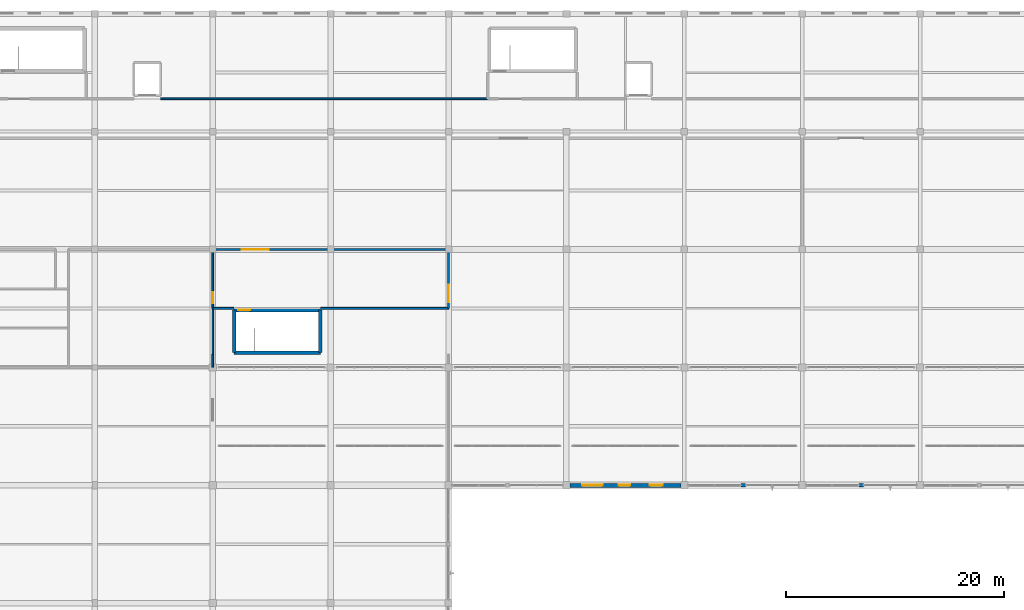
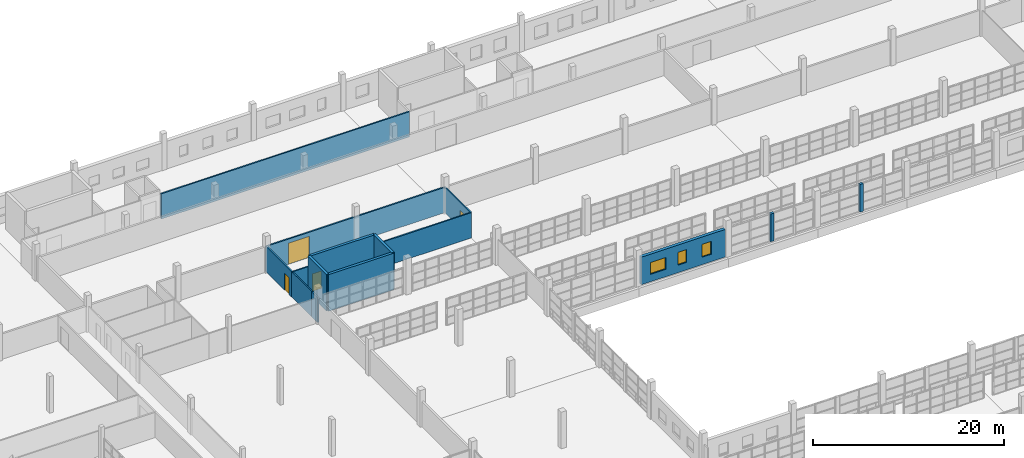
# One storey, part 108 of 142: 15 walls, 4 doors, 3 windows, 7 openings.
"""IFC4 building model written with IfcOpenShell, lengths in metres."""

from ifc_helpers import new_model, si_unit, direction, frame, frame_2d, origin, place, context, subcontext, project, spatial, rectangle, extrude, material, layer, layer_set, type_object, element, fill, save


model = new_model("IFC4")

# Units and contexts
model_context = context("Model", 3, precision=1e-05, world=origin(), true_north=direction((0.0, 1.0)))
body_context = subcontext(model_context, "Body", "Model", "MODEL_VIEW")
ifc_project = project(units=[si_unit("LENGTHUNIT", "METRE"), si_unit("AREAUNIT", "SQUARE_METRE"), si_unit("VOLUMEUNIT", "CUBIC_METRE"), si_unit("PLANEANGLEUNIT", "RADIAN"), si_unit("MASSUNIT", "GRAM", prefix="KILO")], contexts=[model_context])

# Site, building, storey
site_placement = place(None, origin())
site = spatial("IfcSite", under=ifc_project, at=site_placement, CompositionType="ELEMENT")
building_placement = place(site_placement, origin())
building = spatial("IfcBuilding", under=site, at=building_placement, Name="Zwinboog Wholesale Market", CompositionType="ELEMENT")
storey_placement = place(building_placement, frame((0.0, 0.0, 5.39990234375)))
storey = spatial("IfcBuildingStorey", under=building, at=storey_placement, Name="L01", CompositionType="ELEMENT", Elevation=5.39990234375)

# Wall, openings, windows
ifc_material_1 = material(Name="Precast concrete C45/55", Category="concrete")
ifc_layer_1 = layer(ifc_material_1, 0.3701171875)
ifc_layer_set_1 = layer_set([ifc_layer_1], Name="Precast concrete C45/55")
wall_type_1 = type_object("IfcWallType", Name="WT-EW-370", PredefinedType="STANDARD", material=ifc_layer_set_1)
wall_1_placement = place(storey_placement, frame((97.52001953125, 86.39990234375, 0.0), z_axis=(0.0, 0.0, 1.0), x_axis=(1.0, 0.0, 0.0)))
wall_1 = element("IfcWall", 1, at=wall_1_placement, inside=storey, type_object=wall_type_1, Name="EW-01 (WL-EW-L01-134)", PredefinedType="STANDARD", context=body_context, shape_type="SweptSolid", body=[
    extrude(rectangle(XDim=10.159912109375, YDim=0.3701171875, at=frame_2d((5.080078125, 0.0))), origin(), (0.0, 0.0, 1.0), 3.530029296875),
])
opening_1_placement = place(wall_1_placement, frame((1.10498046875, 0.0, 0.949951171875)))
opening_1 = element("IfcOpeningElement", 2, at=opening_1_placement, cuts=wall_1, Name="Opening WN-40", PredefinedType="OPENING", context=body_context, shape_type="SweptSolid", body=[
    extrude(rectangle(XDim=1.889892578125, YDim=1.5, at=frame_2d((0.94482421875, 0.75))), frame((0.0, 0.195068359375, 0.0), z_axis=(0.0, -1.0, 0.0), x_axis=(1.0, 0.0, 0.0)), (0.0, 0.0, 1.0), 0.39013671875),
])
opening_2_placement = place(wall_1_placement, frame((4.455078125, 0.0, 0.949951171875)))
opening_2 = element("IfcOpeningElement", 3, at=opening_2_placement, cuts=wall_1, Name="Opening WN-41", PredefinedType="OPENING", context=body_context, shape_type="SweptSolid", body=[
    extrude(rectangle(XDim=1.050048828125, YDim=1.64990234375, at=frame_2d((0.52490234375, 0.824951171875))), frame((0.0, 0.195068359375, 0.0), z_axis=(0.0, -1.0, 0.0), x_axis=(1.0, 0.0, 0.0)), (0.0, 0.0, 1.0), 0.39013671875),
])
opening_3_placement = place(wall_1_placement, frame((7.324951171875, 0.0, 0.949951171875)))
opening_3 = element("IfcOpeningElement", 4, at=opening_3_placement, cuts=wall_1, Name="Opening WN-42", PredefinedType="OPENING", context=body_context, shape_type="SweptSolid", body=[
    extrude(rectangle(XDim=1.169921875, YDim=1.64990234375, at=frame_2d((0.5849609375, 0.824951171875))), frame((0.0, 0.195068359375, 0.0), z_axis=(0.0, -1.0, 0.0), x_axis=(1.0, 0.0, 0.0)), (0.0, 0.0, 1.0), 0.39013671875),
])
ifc_material_2 = material(Name="Thermally broken aluminium low-e window", Category="aluminium")
window_type_1 = type_object("IfcWindowType", Name="WNT-40", PartitioningType="SINGLE_PANEL", PredefinedType="WINDOW", material=ifc_material_2)
window_1_placement = place(opening_1_placement, frame((1.889892578125, 0.0, 0.0), z_axis=(0.0, 0.0, 1.0), x_axis=(-1.0, 0.0, 0.0)))
window_1 = element("IfcWindow", 5, at=window_1_placement, inside=storey, type_object=window_type_1, Name="WN-40 (WIN-L01-0112)", OverallHeight=1.5, OverallWidth=1.889892578125, PartitioningType="SINGLE_PANEL", PredefinedType="WINDOW", context=body_context, shape_type="SweptSolid", body=[
    extrude(rectangle(XDim=1.889892578125, YDim=1.5, at=frame_2d((0.94482421875, 0.75))), frame((0.0, 0.030029296875, 0.0), z_axis=(0.0, -1.0, 0.0), x_axis=(1.0, 0.0, 0.0)), (0.0, 0.0, 1.0), 0.06005859375),
])
fill(opening_1, window_1)
window_type_2 = type_object("IfcWindowType", Name="WNT-41", PartitioningType="SINGLE_PANEL", PredefinedType="WINDOW", material=ifc_material_2)
window_2_placement = place(opening_2_placement, frame((1.050048828125, 0.0, 0.0), z_axis=(0.0, 0.0, 1.0), x_axis=(-1.0, 0.0, 0.0)))
window_2 = element("IfcWindow", 6, at=window_2_placement, inside=storey, type_object=window_type_2, Name="WN-41 (WIN-L01-0113)", OverallHeight=1.64990234375, OverallWidth=1.050048828125, PartitioningType="SINGLE_PANEL", PredefinedType="WINDOW", context=body_context, shape_type="SweptSolid", body=[
    extrude(rectangle(XDim=1.050048828125, YDim=1.64990234375, at=frame_2d((0.52490234375, 0.824951171875))), frame((0.0, 0.030029296875, 0.0), z_axis=(0.0, -1.0, 0.0), x_axis=(1.0, 0.0, 0.0)), (0.0, 0.0, 1.0), 0.06005859375),
])
fill(opening_2, window_2)
window_type_3 = type_object("IfcWindowType", Name="WNT-42", PartitioningType="SINGLE_PANEL", PredefinedType="WINDOW", material=ifc_material_2)
window_3_placement = place(opening_3_placement, frame((1.169921875, 0.0, 0.0), z_axis=(0.0, 0.0, 1.0), x_axis=(-1.0, 0.0, 0.0)))
window_3 = element("IfcWindow", 7, at=window_3_placement, inside=storey, type_object=window_type_3, Name="WN-42 (WIN-L01-0114)", OverallHeight=1.64990234375, OverallWidth=1.169921875, PartitioningType="SINGLE_PANEL", PredefinedType="WINDOW", context=body_context, shape_type="SweptSolid", body=[
    extrude(rectangle(XDim=1.169921875, YDim=1.64990234375, at=frame_2d((0.5849609375, 0.824951171875))), frame((0.0, 0.030029296875, 0.0), z_axis=(0.0, -1.0, 0.0), x_axis=(1.0, 0.0, 0.0)), (0.0, 0.0, 1.0), 0.06005859375),
])
fill(opening_3, window_3)

# Walls
ifc_layer_2 = layer(ifc_material_1, 0.304931640625)
ifc_layer_set_2 = layer_set([ifc_layer_2], Name="Precast concrete C45/55")
wall_type_2 = type_object("IfcWallType", Name="WT-EW-305", PredefinedType="STANDARD", material=ifc_layer_set_2)
wall_2_placement = place(storey_placement, frame((113.199951171875, 86.39990234375, 0.0), z_axis=(0.0, 0.0, 1.0), x_axis=(1.0, 0.0, 0.0)))
element("IfcWall", 8, at=wall_2_placement, inside=storey, type_object=wall_type_2, Name="EW-07 (WL-PIER-L01-138)", PredefinedType="STANDARD", context=body_context, shape_type="SweptSolid", body=[
    extrude(rectangle(XDim=0.400146484375, YDim=0.304931640625, at=frame_2d((0.2001953125, 0.0))), origin(), (0.0, 0.0, 1.0), 3.530029296875),
])
wall_3_placement = place(storey_placement, frame((124.0, 86.39990234375, 0.0), z_axis=(0.0, 0.0, 1.0), x_axis=(1.0, 0.0, 0.0)))
element("IfcWall", 9, at=wall_3_placement, inside=storey, type_object=wall_type_2, Name="EW-07 (WL-PIER-L01-142)", PredefinedType="STANDARD", context=body_context, shape_type="SweptSolid", body=[
    extrude(rectangle(XDim=0.39990234375, YDim=0.304931640625, at=frame_2d((0.199951171875, 0.0))), origin(), (0.0, 0.0, 1.0), 3.530029296875),
])
ifc_material_3 = material(Name="Concrete C40/50", Category="concrete")
ifc_layer_3 = layer(ifc_material_3, 0.320068359375)
ifc_layer_set_3 = layer_set([ifc_layer_3], Name="Concrete C40/50")
wall_type_3 = type_object("IfcWallType", Name="WT-SW-320", PredefinedType="SHEAR", material=ifc_layer_set_3)
wall_4_placement = place(storey_placement, frame((66.75, 98.550048828125, 0.0), z_axis=(0.0, 0.0, 1.0), x_axis=(1.0, 0.0, 0.0)))
element("IfcWall", 10, at=wall_4_placement, inside=storey, type_object=wall_type_3, Name="SW-03 (WL-SW-L01-149)", PredefinedType="SHEAR", context=body_context, shape_type="SweptSolid", body=[
    extrude(rectangle(XDim=7.89990234375, YDim=0.320068359375, at=frame_2d((3.949951171875, 0.0))), origin(), (0.0, 0.0, 1.0), 4.68017578125),
])

# Wall, opening, door
wall_5_placement = place(storey_placement, frame((66.75, 102.449951171875, 0.0), z_axis=(0.0, 0.0, 1.0), x_axis=(1.0, 0.0, 0.0)))
wall_5 = element("IfcWall", 11, at=wall_5_placement, inside=storey, type_object=wall_type_3, Name="SW-03 (WL-SW-L01-150)", PredefinedType="SHEAR", context=body_context, shape_type="SweptSolid", body=[
    extrude(rectangle(XDim=7.89990234375, YDim=0.320068359375, at=frame_2d((3.949951171875, 0.0))), origin(), (0.0, 0.0, 1.0), 4.68017578125),
])
opening_4_placement = place(wall_5_placement, frame((0.3798828125, 0.0, 0.0)))
opening_4 = element("IfcOpeningElement", 12, at=opening_4_placement, cuts=wall_5, Name="Opening FD-0038", PredefinedType="OPENING", context=body_context, shape_type="SweptSolid", body=[
    extrude(rectangle(XDim=1.10009765625, YDim=2.199951171875, at=frame_2d((0.550048828125, 1.10009765625))), frame((0.0, 0.169921875, 0.0), z_axis=(0.0, -1.0, 0.0), x_axis=(1.0, 0.0, 0.0)), (0.0, 0.0, 1.0), 0.340087890625),
])
ifc_material_4 = material(Name="Timber and powder-coated steel door leaf", Category="steel")
door_type_1 = type_object("IfcDoorType", Name="IDT-FD-02", OperationType="NOTDEFINED", PredefinedType="DOOR", material=ifc_material_4)
door_1_placement = place(opening_4_placement, origin())
door_1 = element("IfcDoor", 13, at=door_1_placement, inside=storey, type_object=door_type_1, Name="Core Fire Door FD-0038", OperationType="SINGLE_SWING_LEFT", OverallHeight=2.199951171875, OverallWidth=1.10009765625, PredefinedType="DOOR", context=body_context, shape_type="SweptSolid", body=[
    extrude(rectangle(XDim=1.10009765625, YDim=2.199951171875, at=frame_2d((0.550048828125, 1.10009765625))), frame((0.0, 0.02490234375, 0.0), z_axis=(0.0, -1.0, 0.0), x_axis=(1.0, 0.0, 0.0)), (0.0, 0.0, 1.0), 0.050048828125),
])
fill(opening_4, door_1)

# Walls
for number, where, z_axis, x_axis, name in (
    (14, (66.75, 98.550048828125, 0.0), (0.0, 0.0, 1.0), (0.0, 1.0, 0.0), "SW-03 (WL-SW-L01-151)"),
    (15, (74.64990234375, 98.550048828125, 0.0), (0.0, 0.0, 1.0), (0.0, 1.0, 0.0), "SW-03 (WL-SW-L01-152)"),
):
    element("IfcWall", number, at=place(storey_placement, frame(where, z_axis=z_axis, x_axis=x_axis)), inside=storey, type_object=wall_type_3, Name=name, PredefinedType="SHEAR", context=body_context, shape_type="SweptSolid", body=[
        extrude(rectangle(XDim=3.89990234375, YDim=0.320068359375, at=frame_2d((1.949951171875, 0.0))), origin(), (0.0, 0.0, 1.0), 4.68017578125),
    ])

# Wall, opening, door
ifc_layer_4 = layer(ifc_material_1, 0.179931640625)
ifc_layer_set_4 = layer_set([ifc_layer_4], Name="Precast concrete C45/55")
wall_type_4 = type_object("IfcWallType", Name="WT-IW-180", PredefinedType="PARTITIONING", material=ifc_layer_set_4)
wall_6_placement = place(storey_placement, frame((64.800048828125, 102.60009765625, 0.0), z_axis=(0.0, 0.0, 1.0), x_axis=(0.0, 1.0, 0.0)))
wall_6 = element("IfcWall", 16, at=wall_6_placement, inside=storey, type_object=wall_type_4, Name="IW-01 (WL-IN-L01-0130)", PredefinedType="PARTITIONING", context=body_context, shape_type="SweptSolid", body=[
    extrude(rectangle(XDim=5.39990234375, YDim=0.179931640625, at=frame_2d((2.699951171875, 0.0))), origin(), (0.0, 0.0, 1.0), 3.22998046875),
])
opening_5_placement = place(wall_6_placement, frame((0.471923828125, 0.0, 0.0)))
opening_5 = element("IfcOpeningElement", 17, at=opening_5_placement, cuts=wall_6, Name="Opening IDF-0061", PredefinedType="OPENING", context=body_context, shape_type="SweptSolid", body=[
    extrude(rectangle(XDim=1.0, YDim=2.14990234375, at=frame_2d((0.5, 1.074951171875))), frame((0.0, 0.099853515625, 0.0), z_axis=(0.0, -1.0, 0.0), x_axis=(1.0, 0.0, 0.0)), (0.0, 0.0, 1.0), 0.199951171875),
])
door_type_2 = type_object("IfcDoorType", Name="IDT-FD-01", OperationType="NOTDEFINED", PredefinedType="DOOR", material=ifc_material_4)
door_2_placement = place(opening_5_placement, origin())
door_2 = element("IfcDoor", 18, at=door_2_placement, inside=storey, type_object=door_type_2, Name="Interior Door IDF-0061", OperationType="SINGLE_SWING_RIGHT", OverallHeight=2.14990234375, OverallWidth=1.0, PredefinedType="DOOR", context=body_context, shape_type="SweptSolid", body=[
    extrude(rectangle(XDim=1.0, YDim=2.14990234375, at=frame_2d((0.5, 1.074951171875))), frame((0.0, 0.02490234375, 0.0), z_axis=(0.0, -1.0, 0.0), x_axis=(1.0, 0.0, 0.0)), (0.0, 0.0, 1.0), 0.050048828125),
])
fill(opening_5, door_2)

wall_7_placement = place(storey_placement, frame((64.800048828125, 108.0, 0.0), z_axis=(0.0, 0.0, 1.0), x_axis=(1.0, 0.0, 0.0)))
wall_7 = element("IfcWall", 19, at=wall_7_placement, inside=storey, type_object=wall_type_4, Name="IW-01 (WL-IN-L01-0139)", PredefinedType="PARTITIONING", context=body_context, shape_type="SweptSolid", body=[
    extrude(rectangle(XDim=21.599853515625, YDim=0.179931640625, at=frame_2d((10.7998046875, 0.0))), origin(), (0.0, 0.0, 1.0), 3.22998046875),
])
opening_6_placement = place(wall_7_placement, frame((2.637939453125, 0.0, 0.0)))
opening_6 = element("IfcOpeningElement", 20, at=opening_6_placement, cuts=wall_7, Name="Opening IDF-0066", PredefinedType="OPENING", context=body_context, shape_type="SweptSolid", body=[
    extrude(rectangle(XDim=2.5, YDim=2.699951171875, at=frame_2d((1.25, 1.35009765625))), frame((0.0, 0.099853515625, 0.0), z_axis=(0.0, -1.0, 0.0), x_axis=(1.0, 0.0, 0.0)), (0.0, 0.0, 1.0), 0.199951171875),
])
door_type_3 = type_object("IfcDoorType", Name="IDT-CS-03", OperationType="DOUBLE_DOOR_SLIDING", PredefinedType="DOOR", material=ifc_material_4)
door_3_placement = place(opening_6_placement, frame((2.5, 0.0, 0.0), z_axis=(0.0, 0.0, 1.0), x_axis=(-1.0, 0.0, 0.0)))
door_3 = element("IfcDoor", 21, at=door_3_placement, inside=storey, type_object=door_type_3, Name="Interior Door IDF-0066", OperationType="DOUBLE_DOOR_SLIDING", OverallHeight=2.699951171875, OverallWidth=2.5, PredefinedType="DOOR", context=body_context, shape_type="SweptSolid", body=[
    extrude(rectangle(XDim=2.5, YDim=2.699951171875, at=frame_2d((1.25, 1.35009765625))), frame((0.0, 0.02490234375, 0.0), z_axis=(0.0, -1.0, 0.0), x_axis=(1.0, 0.0, 0.0)), (0.0, 0.0, 1.0), 0.050048828125),
])
fill(opening_6, door_3)

# Walls
wall_8_placement = place(storey_placement, frame((64.800048828125, 97.199951171875, 0.0), z_axis=(0.0, 0.0, 1.0), x_axis=(0.0, 1.0, 0.0)))
element("IfcWall", 22, at=wall_8_placement, inside=storey, type_object=wall_type_4, Name="IW-01 (WL-IN-L01-0196)", PredefinedType="PARTITIONING", context=body_context, shape_type="SweptSolid", body=[
    extrude(rectangle(XDim=1.199951171875, YDim=0.179931640625, at=frame_2d((0.60009765625, 0.0))), origin(), (0.0, 0.0, 1.0), 3.22998046875),
])
ifc_material_5 = material(Name="Hygienic washable stud partition")
ifc_layer_5 = layer(ifc_material_5, 0.137939453125)
ifc_layer_set_5 = layer_set([ifc_layer_5], Name="Hygienic washable stud partition")
wall_type_5 = type_object("IfcWallType", Name="WT-PT-138", PredefinedType="PARTITIONING", material=ifc_layer_set_5)
wall_9_placement = place(storey_placement, frame((64.800048828125, 98.39990234375, 0.0), z_axis=(0.0, 0.0, 1.0), x_axis=(0.0, 1.0, 0.0)))
element("IfcWall", 23, at=wall_9_placement, inside=storey, type_object=wall_type_5, Name="PW-03 (WL-IN-L01-0197)", PredefinedType="PARTITIONING", context=body_context, shape_type="SweptSolid", body=[
    extrude(rectangle(XDim=4.2001953125, YDim=0.137939453125, at=frame_2d((2.10009765625, 0.0))), origin(), (0.0, 0.0, 1.0), 3.22998046875),
])

# Wall, opening, door
ifc_material_6 = material(Name="Laboratory acoustic partition")
ifc_layer_6 = layer(ifc_material_6, 0.16796875)
ifc_layer_set_6 = layer_set([ifc_layer_6], Name="Laboratory acoustic partition")
wall_type_6 = type_object("IfcWallType", Name="WT-PT-168", PredefinedType="PARTITIONING", material=ifc_layer_set_6)
wall_10_placement = place(storey_placement, frame((86.39990234375, 102.60009765625, 0.0), z_axis=(0.0, 0.0, 1.0), x_axis=(0.0, 1.0, 0.0)))
wall_10 = element("IfcWall", 24, at=wall_10_placement, inside=storey, type_object=wall_type_6, Name="PW-05 (WL-IN-L01-0140)", PredefinedType="PARTITIONING", context=body_context, shape_type="SweptSolid", body=[
    extrude(rectangle(XDim=5.39990234375, YDim=0.16796875, at=frame_2d((2.699951171875, 0.0))), origin(), (0.0, 0.0, 1.0), 3.22998046875),
])
opening_7_placement = place(wall_10_placement, frame((0.550048828125, 0.0, 0.0)))
opening_7 = element("IfcOpeningElement", 25, at=opening_7_placement, cuts=wall_10, Name="Opening IDF-0067", PredefinedType="OPENING", context=body_context, shape_type="SweptSolid", body=[
    extrude(rectangle(XDim=1.60009765625, YDim=2.199951171875, at=frame_2d((0.800048828125, 1.10009765625))), frame((0.0, 0.093994140625, 0.0), z_axis=(0.0, -1.0, 0.0), x_axis=(1.0, 0.0, 0.0)), (0.0, 0.0, 1.0), 0.18798828125),
])
door_type_4 = type_object("IfcDoorType", Name="IDT-FD-03", OperationType="DOUBLE_DOOR_SINGLE_SWING", PredefinedType="DOOR", material=ifc_material_4)
door_4_placement = place(opening_7_placement, origin())
door_4 = element("IfcDoor", 26, at=door_4_placement, inside=storey, type_object=door_type_4, Name="Interior Door IDF-0067", OperationType="DOUBLE_DOOR_SINGLE_SWING", OverallHeight=2.199951171875, OverallWidth=1.60009765625, PredefinedType="DOOR", context=body_context, shape_type="SweptSolid", body=[
    extrude(rectangle(XDim=1.60009765625, YDim=2.199951171875, at=frame_2d((0.800048828125, 1.10009765625))), frame((0.0, 0.02490234375, 0.0), z_axis=(0.0, -1.0, 0.0), x_axis=(1.0, 0.0, 0.0)), (0.0, 0.0, 1.0), 0.050048828125),
])
fill(opening_7, door_4)

# Walls
wall_11_placement = place(storey_placement, frame((60.02001953125, 121.800048828125, 0.0), z_axis=(0.0, 0.0, 1.0), x_axis=(1.0, 0.0, 0.0)))
element("IfcWall", 27, at=wall_11_placement, inside=storey, type_object=wall_type_6, Name="PW-05 (WL-IN-L01-0191)", PredefinedType="PARTITIONING", context=body_context, shape_type="SweptSolid", body=[
    extrude(rectangle(XDim=29.97998046875, YDim=0.16796875, at=frame_2d((14.989990234375, 0.0))), origin(), (0.0, 0.0, 1.0), 3.22998046875),
])
wall_12_placement = place(storey_placement, frame((64.800048828125, 102.60009765625, 0.0), z_axis=(0.0, 0.0, 1.0), x_axis=(1.0, 0.0, 0.0)))
element("IfcWall", 28, at=wall_12_placement, inside=storey, type_object=wall_type_6, Name="PW-05 (WL-IN-L01-0198)", PredefinedType="PARTITIONING", context=body_context, shape_type="SweptSolid", body=[
    extrude(rectangle(XDim=1.929931640625, YDim=0.16796875, at=frame_2d((0.96484375, 0.0))), origin(), (0.0, 0.0, 1.0), 3.22998046875),
])
wall_13_placement = place(storey_placement, frame((74.669921875, 102.60009765625, 0.0), z_axis=(0.0, 0.0, 1.0), x_axis=(1.0, 0.0, 0.0)))
element("IfcWall", 29, at=wall_13_placement, inside=storey, type_object=wall_type_6, Name="PW-05 (WL-IN-L01-0199)", PredefinedType="PARTITIONING", context=body_context, shape_type="SweptSolid", body=[
    extrude(rectangle(XDim=11.72998046875, YDim=0.16796875, at=frame_2d((5.864990234375, 0.0))), origin(), (0.0, 0.0, 1.0), 3.22998046875),
])

save(model, "model.ifc")
